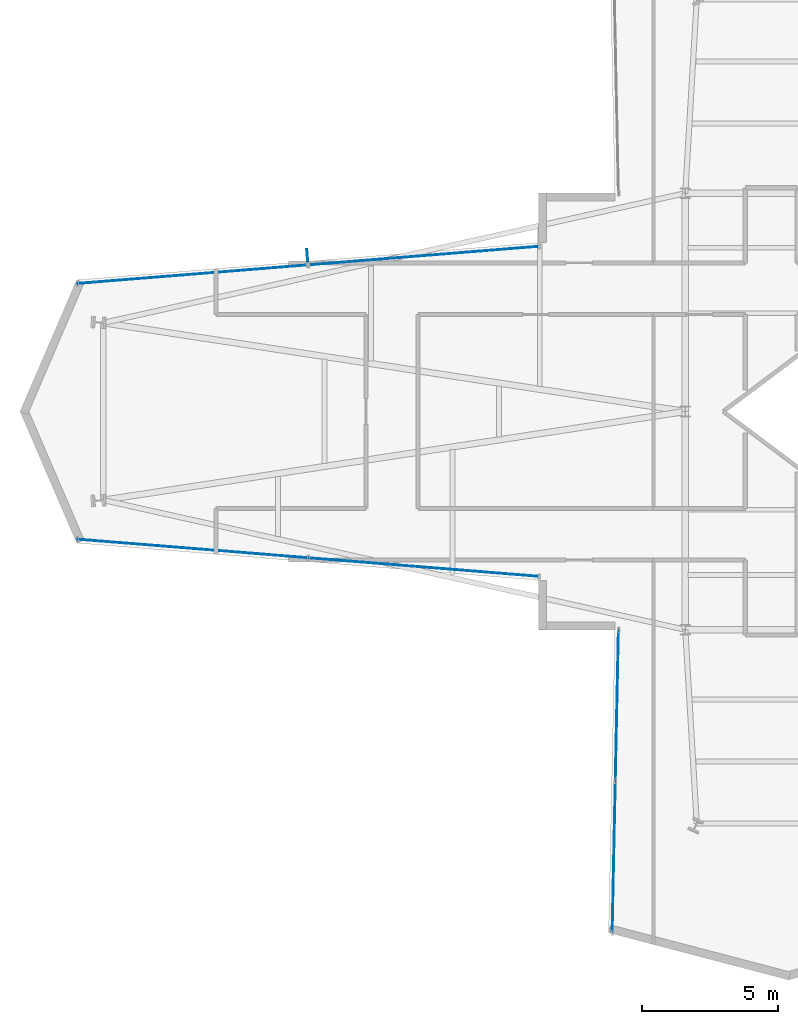
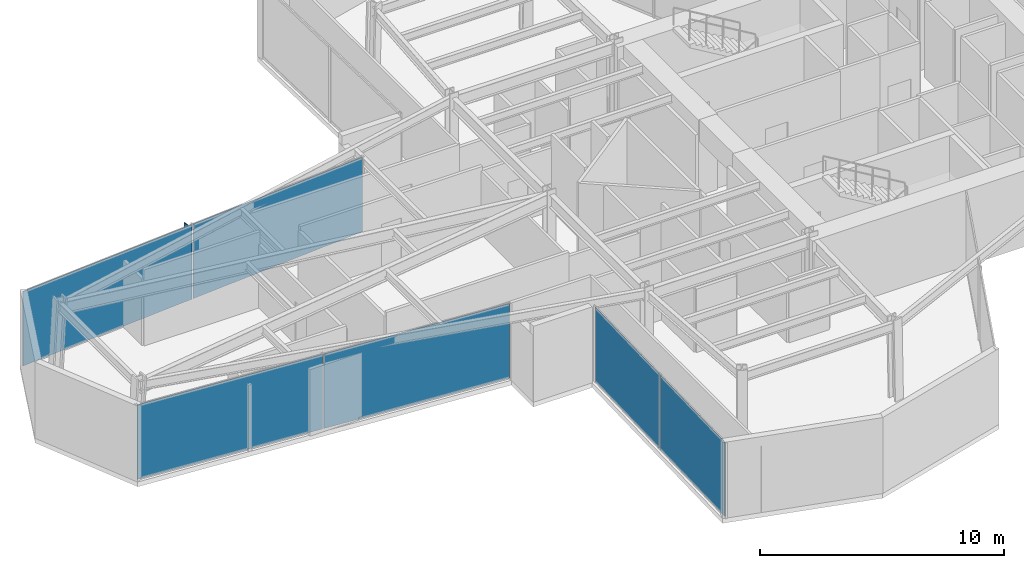
# One storey, part 18 of 24: 7 plates, 3 elements without a shape of their own.
"""IFC4 building model written with IfcOpenShell, lengths in metres."""

from ifc_helpers import new_model, si_unit, direction, frame, origin, origin_2d, place, context, subcontext, project, spatial, rectangle, extrude, material, layer, layer_set, type_object, element, aggregate, save


model = new_model("IFC4")

# Units and contexts
model_context = context("Model", 3, precision=1e-05, world=origin(), true_north=direction((0.0, 1.0)))
body_context = subcontext(model_context, "Body", "Model", "MODEL_VIEW")
ifc_project = project(units=[si_unit("LENGTHUNIT", "METRE"), si_unit("AREAUNIT", "SQUARE_METRE"), si_unit("VOLUMEUNIT", "CUBIC_METRE"), si_unit("PLANEANGLEUNIT", "RADIAN"), si_unit("MASSUNIT", "GRAM", prefix="KILO")], contexts=[model_context])

# Site, building, storey
site_placement = place(None, origin())
site = spatial("IfcSite", under=ifc_project, at=site_placement, CompositionType="ELEMENT")
building_placement = place(site_placement, origin())
building = spatial("IfcBuilding", under=site, at=building_placement, Name="Veymaron Broadcast Tower", CompositionType="ELEMENT")
storey_placement = place(building_placement, frame((0.0, 0.0, 98.550048828125)))
storey = spatial("IfcBuildingStorey", under=building, at=storey_placement, Name="L22", CompositionType="ELEMENT", Elevation=98.550048828125)

# Curtain wall, plates
ifc_material_1 = material(Name="Anodised aluminium AA 6063-T6 and laminated low-E dark glass", Category="aluminium")
ifc_layer_1 = layer(ifc_material_1, 0.179931640625)
ifc_layer_set_1 = layer_set([ifc_layer_1], Name="Anodised aluminium AA 6063-T6 and laminated low-E dark glass")
curtain_wall_type = type_object("IfcCurtainWallType", Name="CW-SYS-02", PredefinedType="NOTDEFINED", material=ifc_layer_set_1)
curtain_wall_1_placement = place(storey_placement, origin())
curtain_wall_1 = element("IfcCurtainWall", 1, at=curtain_wall_1_placement, inside=storey, type_object=curtain_wall_type, Name="L22 dark-glass curtain wall CW-L22-E11-1", PredefinedType="NOTDEFINED")
ifc_material_2 = material(Name="Double-silver solar-control dark glass IGU 32 mm", Category="glass")
ifc_layer_2 = layer(ifc_material_2, 0.031982421875)
ifc_layer_set_2 = layer_set([ifc_layer_2], Name="Double-silver solar-control dark glass IGU 32 mm")
plate_type_1 = type_object("IfcPlateType", Name="CW-PNL-02", PredefinedType="CURTAIN_PANEL", material=ifc_layer_set_2)
plate_1_placement = place(storey_placement, frame((21.610107421875, 29.7080078125, 0.0400390625), z_axis=(0.0, 0.0, 1.0), x_axis=(-0.996776078378, -0.080233718427, 0.0)))
plate_1 = element("IfcPlate", 2, at=plate_1_placement, type_object=plate_type_1, Name="CW-L22-E11-1 unitised curtain panel 0", PredefinedType="CURTAIN_PANEL", context=body_context, shape_type="SweptSolid", body=[
    extrude(rectangle(XDim=8.433349609375, YDim=0.031982421875, at=origin_2d()), origin(), (0.0, 0.0, 1.0), 3.72998046875),
])
plate_2_placement = place(storey_placement, frame((13.144287109375, 29.026611328125, 0.0400390625), z_axis=(0.0, 0.0, 1.0), x_axis=(-0.996776078378, -0.080233718427, 0.0)))
plate_2 = element("IfcPlate", 3, at=plate_2_placement, type_object=plate_type_1, Name="CW-L22-E11-1 unitised curtain panel 1", PredefinedType="CURTAIN_PANEL", context=body_context, shape_type="SweptSolid", body=[
    extrude(rectangle(XDim=8.433349609375, YDim=0.031982421875, at=origin_2d()), origin(), (0.0, 0.0, 1.0), 3.72998046875),
])
aggregate(curtain_wall_1, [plate_1, plate_2])

curtain_wall_2_placement = place(storey_placement, origin())
curtain_wall_2 = element("IfcCurtainWall", 4, at=curtain_wall_2_placement, inside=storey, type_object=curtain_wall_type, Name="L22 dark-glass curtain wall CW-L22-E14-1", PredefinedType="NOTDEFINED")
plate_3_placement = place(storey_placement, frame((13.144287109375, 18.973388671875, 0.0400390625), z_axis=(0.0, 0.0, 1.0), x_axis=(0.996776078378, -0.080233718427, 0.0)))
plate_3 = element("IfcPlate", 5, at=plate_3_placement, type_object=plate_type_1, Name="CW-L22-E14-1 unitised curtain panel 0", PredefinedType="CURTAIN_PANEL", context=body_context, shape_type="SweptSolid", body=[
    extrude(rectangle(XDim=8.433349609375, YDim=0.031982421875, at=origin_2d()), origin(), (0.0, 0.0, 1.0), 3.72998046875),
])
plate_4_placement = place(storey_placement, frame((21.610107421875, 18.2919921875, 0.0400390625), z_axis=(0.0, 0.0, 1.0), x_axis=(0.996776078378, -0.080233718427, 0.0)))
plate_4 = element("IfcPlate", 6, at=plate_4_placement, type_object=plate_type_1, Name="CW-L22-E14-1 unitised curtain panel 1", PredefinedType="CURTAIN_PANEL", context=body_context, shape_type="SweptSolid", body=[
    extrude(rectangle(XDim=8.433349609375, YDim=0.031982421875, at=origin_2d()), origin(), (0.0, 0.0, 1.0), 3.72998046875),
])
aggregate(curtain_wall_2, [plate_3, plate_4])

curtain_wall_3_placement = place(storey_placement, origin())
curtain_wall_3 = element("IfcCurtainWall", 7, at=curtain_wall_3_placement, inside=storey, type_object=curtain_wall_type, Name="L22 dark-glass curtain wall CW-L22-E17-1", PredefinedType="NOTDEFINED")
plate_5_placement = place(storey_placement, frame((28.697998046875, 13.222412109375, 0.0400390625), z_axis=(0.0, 0.0, 1.0), x_axis=(-0.020680677198, -0.999786131926, 0.0)))
plate_5 = element("IfcPlate", 8, at=plate_5_placement, type_object=plate_type_1, Name="CW-L22-E17-1 unitised curtain panel 0", PredefinedType="CURTAIN_PANEL", context=body_context, shape_type="SweptSolid", body=[
    extrude(rectangle(XDim=5.49072265625, YDim=0.031982421875, at=origin_2d()), origin(), (0.0, 0.0, 1.0), 3.72998046875),
])
plate_6_placement = place(storey_placement, frame((28.58349609375, 7.6728515625, 0.0400390625), z_axis=(0.0, 0.0, 1.0), x_axis=(-0.020680677198, -0.999786131926, 0.0)))
plate_6 = element("IfcPlate", 9, at=plate_6_placement, type_object=plate_type_1, Name="CW-L22-E17-1 unitised curtain panel 1", PredefinedType="CURTAIN_PANEL", context=body_context, shape_type="SweptSolid", body=[
    extrude(rectangle(XDim=5.49072265625, YDim=0.031982421875, at=origin_2d()), origin(), (0.0, 0.0, 1.0), 3.72998046875),
])
aggregate(curtain_wall_3, [plate_5, plate_6])

# Plate
ifc_material_3 = material(Name="Dark-anodised aluminium AA 6061-T6", Category="aluminium")
ifc_layer_3 = layer(ifc_material_3, 0.034912109375)
ifc_layer_set_3 = layer_set([ifc_layer_3], Name="Dark-anodised aluminium AA 6061-T6")
plate_type_2 = type_object("IfcPlateType", Name="FIN-CHEV-01", PredefinedType="USERDEFINED", material=ifc_layer_set_3)
plate_7_placement = place(storey_placement, frame((17.3486328125, 29.72119140625, 0.2666015625), z_axis=(0.0, 0.0, 1.0), x_axis=(-0.080233718427, 0.996776078378, 0.0)))
element("IfcPlate", 10, at=plate_7_placement, inside=storey, type_object=plate_type_2, Name="CW-L22-E11-1 chevron fin 1", ObjectType="FIN", PredefinedType="USERDEFINED", context=body_context, shape_type="SweptSolid", body=[
    extrude(rectangle(XDim=0.449951171875, YDim=0.034912109375, at=origin_2d()), origin(), (0.0, 0.0, 1.0), 3.276611328125),
])

save(model, "model.ifc")
